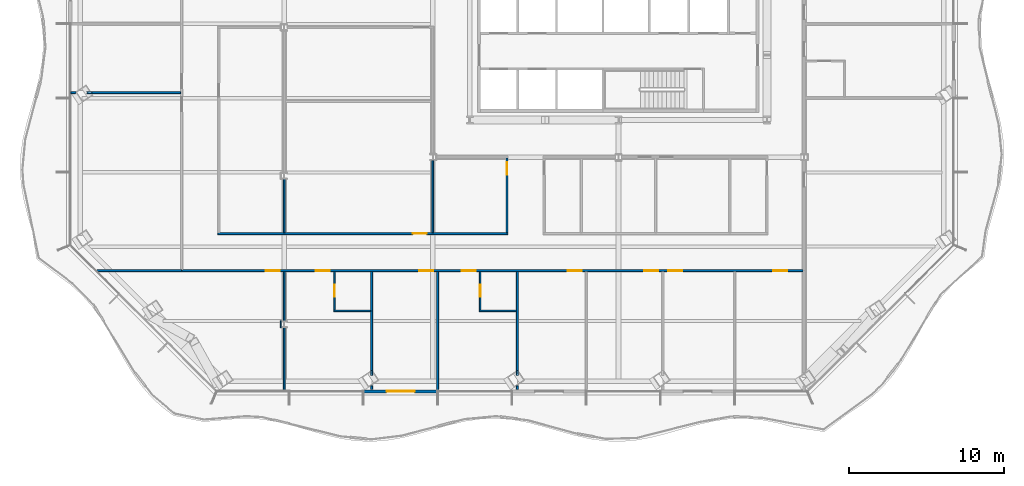
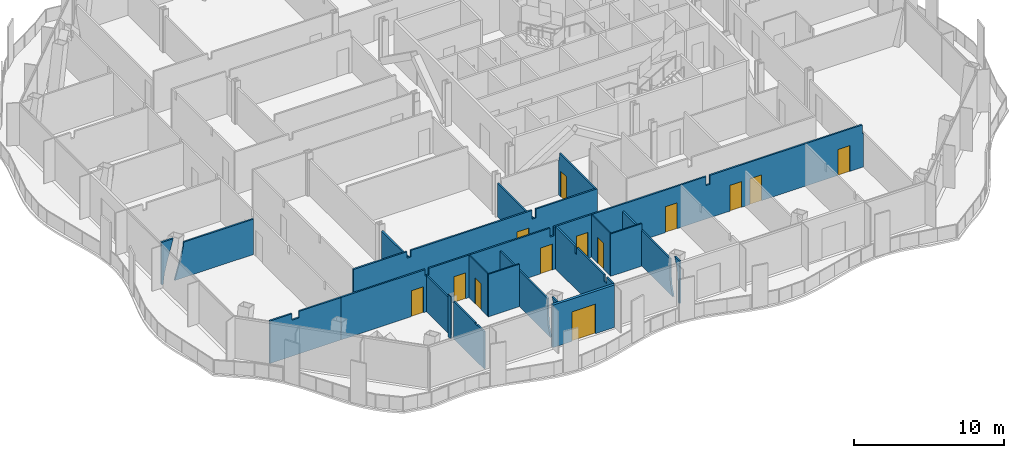
# One storey, part 6 of 19: 21 walls, 13 doors, 13 openings.
"""IFC4 building model written with IfcOpenShell, lengths in metres."""

from ifc_helpers import new_model, si_unit, direction, frame, frame_2d, origin, place, context, subcontext, project, spatial, polyline, rectangle, outline, extrude, material, layer, layer_set, type_object, element, fill, save


model = new_model("IFC4")

# Units and contexts
model_context = context("Model", 3, precision=1e-05, world=origin(), true_north=direction((0.0, 1.0)))
body_context = subcontext(model_context, "Body", "Model", "MODEL_VIEW")
ifc_project = project(units=[si_unit("LENGTHUNIT", "METRE"), si_unit("AREAUNIT", "SQUARE_METRE"), si_unit("VOLUMEUNIT", "CUBIC_METRE"), si_unit("PLANEANGLEUNIT", "RADIAN"), si_unit("MASSUNIT", "GRAM", prefix="KILO")], contexts=[model_context])

# Site, building, storey
site_placement = place(None, origin())
site = spatial("IfcSite", under=ifc_project, at=site_placement, CompositionType="ELEMENT")
building_placement = place(site_placement, origin())
building = spatial("IfcBuilding", under=site, at=building_placement, Name="Cairn Pilgrim Tower", CompositionType="ELEMENT")
storey_placement = place(building_placement, frame((0.0, 0.0, 90.60009765625)))
storey = spatial("IfcBuildingStorey", under=building, at=storey_placement, Name="L21", CompositionType="ELEMENT", Elevation=90.60009765625)

# Wall, opening, door
ifc_material_1 = material(Name="Bronze anodised aluminium insulated sandwich panel with mineral wool fill", Category="aluminium")
ifc_layer_1 = layer(ifc_material_1, 0.199951171875)
ifc_layer_set_1 = layer_set([ifc_layer_1], Name="BRONZE INFILL FRAME WALL 200")
wall_type_1 = type_object("IfcWallType", Name="BRONZE INFILL FRAME WALL 200", PredefinedType="NOTDEFINED", material=ifc_layer_set_1)
wall_1_placement = place(storey_placement, frame((-9.24951171875, -23.536376953125, 0.0), z_axis=(0.0, 0.0, 1.0), x_axis=(1.0, 0.0, 0.0)))
wall_1 = element("IfcWall", 1, at=wall_1_placement, inside=storey, type_object=wall_type_1, Name="Bronze infill frame wall IW-S3", PredefinedType="NOTDEFINED", context=body_context, shape_type="SweptSolid", body=[
    extrude(rectangle(XDim=4.739990234375, YDim=0.199951171875, at=frame_2d((2.3701171875, 0.0))), origin(), (0.0, 0.0, 1.0), 3.449951171875),
])
opening_1_placement = place(wall_1_placement, frame((1.469482421875, 0.0, 0.0)))
opening_1 = element("IfcOpeningElement", 2, at=opening_1_placement, cuts=wall_1, Name="Opening 2103B", PredefinedType="OPENING", context=body_context, shape_type="SweptSolid", body=[
    extrude(rectangle(XDim=1.800048828125, YDim=2.39990234375, at=frame_2d((0.89990234375, 1.199951171875))), frame((0.0, 0.10986328125, 0.0), z_axis=(0.0, -1.0, 0.0), x_axis=(1.0, 0.0, 0.0)), (0.0, 0.0, 1.0), 0.219970703125),
])
ifc_material_2 = material(Name="Bronze anodised aluminium frame with tinted low-E glass", Category="aluminium")
door_type_1 = type_object("IfcDoorType", Name="BALCONY SLIDING DOOR 1800x2400", OperationType="DOUBLE_DOOR_SLIDING", PredefinedType="DOOR", material=ifc_material_2)
door_1_placement = place(opening_1_placement, origin())
door_1 = element("IfcDoor", 3, at=door_1_placement, inside=storey, type_object=door_type_1, Name="Balcony sliding door 2103B", OperationType="SINGLE_SWING_LEFT", OverallHeight=2.39990234375, OverallWidth=1.800048828125, PredefinedType="DOOR", context=body_context, shape_type="SweptSolid", body=[
    extrude(rectangle(XDim=1.800048828125, YDim=2.39990234375, at=frame_2d((0.89990234375, 1.199951171875))), frame((0.0, 0.02490234375, 0.0), z_axis=(0.0, -1.0, 0.0), x_axis=(1.0, 0.0, 0.0)), (0.0, 0.0, 1.0), 0.050048828125),
])
fill(opening_1, door_1)

# Wall
ifc_material_3 = material(Name="Gypsum partition")
ifc_layer_2 = layer(ifc_material_3, 0.10009765625)
ifc_layer_set_2 = layer_set([ifc_layer_2], Name="PARTITION 100 DRYWALL")
wall_type_2 = type_object("IfcWallType", Name="PARTITION 100 DRYWALL", PredefinedType="PARTITIONING", material=ifc_layer_set_2)
wall_2_placement = place(storey_placement, frame((-11.198974609375, -18.3359375, 0.0), z_axis=(0.0, 0.0, 1.0), x_axis=(1.0, 0.0, 0.0)))
element("IfcWall", 4, at=wall_2_placement, inside=storey, type_object=wall_type_2, Name="PARTITION W014", PredefinedType="PARTITIONING", context=body_context, shape_type="SweptSolid", body=[
    extrude(rectangle(XDim=2.387451171875, YDim=0.10009765625, at=frame_2d((1.19384765625, 0.0))), origin(), (0.0, 0.0, 1.0), 3.449951171875),
])

# Wall, opening, door
wall_3_placement = place(storey_placement, frame((-11.14892578125, -18.285888671875, 0.0), z_axis=(0.0, 0.0, 1.0), x_axis=(0.0, 1.0, 0.0)))
wall_3 = element("IfcWall", 5, at=wall_3_placement, inside=storey, type_object=wall_type_2, Name="PARTITION W015", PredefinedType="PARTITIONING", context=body_context, shape_type="SweptSolid", body=[
    extrude(rectangle(XDim=2.4873046875, YDim=0.10009765625, at=frame_2d((1.24365234375, 0.0))), origin(), (0.0, 0.0, 1.0), 3.449951171875),
])
opening_2_placement = place(wall_3_placement, frame((0.85009765625, 0.0, 0.0)))
opening_2 = element("IfcOpeningElement", 6, at=opening_2_placement, cuts=wall_3, Name="Opening 2102E", PredefinedType="OPENING", context=body_context, shape_type="SweptSolid", body=[
    extrude(rectangle(XDim=0.800048828125, YDim=2.10009765625, at=frame_2d((0.39990234375, 1.050048828125))), frame((0.0, 0.06005859375, 0.0), z_axis=(0.0, -1.0, 0.0), x_axis=(1.0, 0.0, 0.0)), (0.0, 0.0, 1.0), 0.1201171875),
])
ifc_material_4 = material(Name="Timber door leaf", Category="wood")
door_type_2 = type_object("IfcDoorType", Name="DOOR 800x2100", OperationType="NOTDEFINED", PredefinedType="DOOR", material=ifc_material_4)
door_2_placement = place(opening_2_placement, frame((0.800048828125, 0.0, 0.0), z_axis=(0.0, 0.0, 1.0), x_axis=(-1.0, 0.0, 0.0)))
door_2 = element("IfcDoor", 7, at=door_2_placement, inside=storey, type_object=door_type_2, Name="DOOR 2102E", OperationType="SINGLE_SWING_RIGHT", OverallHeight=2.10009765625, OverallWidth=0.800048828125, PredefinedType="DOOR", context=body_context, shape_type="SweptSolid", body=[
    extrude(rectangle(XDim=0.800048828125, YDim=2.10009765625, at=frame_2d((0.39990234375, 1.050048828125))), frame((0.0, 0.02490234375, 0.0), z_axis=(0.0, -1.0, 0.0), x_axis=(1.0, 0.0, 0.0)), (0.0, 0.0, 1.0), 0.050048828125),
])
fill(opening_2, door_2)

# Wall
wall_4_placement = place(storey_placement, frame((-1.785888671875, -18.3359375, 0.0), z_axis=(0.0, 0.0, 1.0), x_axis=(1.0, 0.0, 0.0)))
element("IfcWall", 8, at=wall_4_placement, inside=storey, type_object=wall_type_2, Name="PARTITION W016", PredefinedType="PARTITIONING", context=body_context, shape_type="SweptSolid", body=[
    extrude(rectangle(XDim=2.387451171875, YDim=0.10009765625, at=frame_2d((1.19384765625, 0.0))), origin(), (0.0, 0.0, 1.0), 3.449951171875),
])

# Wall, opening, door
wall_5_placement = place(storey_placement, frame((-1.736083984375, -18.285888671875, 0.0), z_axis=(0.0, 0.0, 1.0), x_axis=(0.0, 1.0, 0.0)))
wall_5 = element("IfcWall", 9, at=wall_5_placement, inside=storey, type_object=wall_type_2, Name="PARTITION W017", PredefinedType="PARTITIONING", context=body_context, shape_type="SweptSolid", body=[
    extrude(rectangle(XDim=2.4873046875, YDim=0.10009765625, at=frame_2d((1.24365234375, 0.0))), origin(), (0.0, 0.0, 1.0), 3.449951171875),
])
opening_3_placement = place(wall_5_placement, frame((0.85009765625, 0.0, 0.0)))
opening_3 = element("IfcOpeningElement", 10, at=opening_3_placement, cuts=wall_5, Name="Opening 2104E", PredefinedType="OPENING", context=body_context, shape_type="SweptSolid", body=[
    extrude(rectangle(XDim=0.800048828125, YDim=2.10009765625, at=frame_2d((0.39990234375, 1.050048828125))), frame((0.0, 0.06005859375, 0.0), z_axis=(0.0, -1.0, 0.0), x_axis=(1.0, 0.0, 0.0)), (0.0, 0.0, 1.0), 0.1201171875),
])
door_3_placement = place(opening_3_placement, frame((0.800048828125, 0.0, 0.0), z_axis=(0.0, 0.0, 1.0), x_axis=(-1.0, 0.0, 0.0)))
door_3 = element("IfcDoor", 11, at=door_3_placement, inside=storey, type_object=door_type_2, Name="DOOR 2104E", OperationType="SINGLE_SWING_LEFT", OverallHeight=2.10009765625, OverallWidth=0.800048828125, PredefinedType="DOOR", context=body_context, shape_type="SweptSolid", body=[
    extrude(rectangle(XDim=0.800048828125, YDim=2.10009765625, at=frame_2d((0.39990234375, 1.050048828125))), frame((0.0, 0.02490234375, 0.0), z_axis=(0.0, -1.0, 0.0), x_axis=(1.0, 0.0, 0.0)), (0.0, 0.0, 1.0), 0.050048828125),
])
fill(opening_3, door_3)

# Walls
ifc_layer_3 = layer(ifc_material_3, 0.125)
ifc_layer_set_3 = layer_set([ifc_layer_3], Name="PARTITION 125 DRYWALL EI 60")
wall_type_3 = type_object("IfcWallType", Name="PARTITION 125 DRYWALL EI 60", PredefinedType="PARTITIONING", material=ifc_layer_set_3)
wall_6_placement = place(storey_placement, frame((-14.39990234375, -23.476318359375, 0.0), z_axis=(0.0, 0.0, 1.0), x_axis=(0.0, 1.0, 0.0)))
element("IfcWall", 12, at=wall_6_placement, inside=storey, type_object=wall_type_3, Name="PARTITION W001", PredefinedType="PARTITIONING", context=body_context, shape_type="SweptSolid", body=[
    extrude(outline(polyline([(0.0, 0.0), (4.063720703125, 0.0), (4.063720703125, 3.02978515625), (1.198486328125, 3.02978515625), (1.196533203125, 2.929931640625), (0.898681640625, 2.929931640625), (0.896484375, 3.02978515625), (0.0, 3.02978515625), (0.0, 0.0)])), frame((0.0, 0.0625, 0.0), z_axis=(0.0, -1.0, 0.0), x_axis=(1.0, 0.0, 0.0)), (0.0, 0.0, 1.0), 0.125),
])
wall_7_placement = place(storey_placement, frame((-8.7490234375, -23.40625, 0.0), z_axis=(0.0, 0.0, 1.0), x_axis=(0.0, 1.0, 0.0)))
element("IfcWall", 13, at=wall_7_placement, inside=storey, type_object=wall_type_3, Name="PARTITION W003", PredefinedType="PARTITIONING", context=body_context, shape_type="SweptSolid", body=[
    extrude(outline(polyline([(0.0, 0.0), (0.22705078125, 0.0), (0.22705078125, 0.8623046875), (0.22705078125, 1.724853515625), (0.308349609375, 2.58740234375), (0.66064453125, 3.449951171875), (0.0, 3.449951171875), (0.0, 2.58740234375), (0.0, 1.724853515625), (0.0, 0.8623046875), (0.0, 0.0)])), frame((0.0, 0.0625, 0.0), z_axis=(0.0, -1.0, 0.0), x_axis=(1.0, 0.0, 0.0)), (0.0, 0.0, 1.0), 0.125),
])
wall_8_placement = place(storey_placement, frame((-4.47998046875, -23.436279296875, 0.0), z_axis=(0.0, 0.0, 1.0), x_axis=(0.0, 1.0, 0.0)))
element("IfcWall", 14, at=wall_8_placement, inside=storey, type_object=wall_type_3, Name="PARTITION W004", PredefinedType="PARTITIONING", context=body_context, shape_type="SweptSolid", body=[
    extrude(outline(polyline([(0.0, 0.0), (7.6376953125, 0.0), (7.6376953125, 3.449951171875), (5.013671875, 3.449951171875), (5.01171875, 2.8798828125), (4.8037109375, 2.8798828125), (4.801513671875, 3.449951171875), (1.15869140625, 3.449951171875), (1.156494140625, 2.929931640625), (0.858642578125, 2.929931640625), (0.856689453125, 3.449951171875), (0.0, 3.449951171875), (0.0, 0.0)])), frame((0.0, 0.0625, 0.0), z_axis=(0.0, -1.0, 0.0), x_axis=(1.0, 0.0, 0.0)), (0.0, 0.0, 1.0), 0.125),
])
wall_9_placement = place(storey_placement, frame((0.6640625, -23.40625, 0.0), z_axis=(0.0, 0.0, 1.0), x_axis=(0.0, 1.0, 0.0)))
element("IfcWall", 15, at=wall_9_placement, inside=storey, type_object=wall_type_3, Name="PARTITION W005", PredefinedType="PARTITIONING", context=body_context, shape_type="SweptSolid", body=[
    extrude(outline(polyline([(0.0, 0.0), (0.2265625, 0.0), (0.2265625, 0.8623046875), (0.2265625, 1.724853515625), (0.308349609375, 2.58740234375), (0.66162109375, 3.449951171875), (0.0, 3.449951171875), (0.0, 2.58740234375), (0.0, 1.724853515625), (0.0, 0.8623046875), (0.0, 0.0)])), frame((0.0, 0.0625, 0.0), z_axis=(0.0, -1.0, 0.0), x_axis=(1.0, 0.0, 0.0)), (0.0, 0.0, 1.0), 0.125),
])
wall_10_placement = place(storey_placement, frame((-8.7490234375, -22.506591796875, 0.0), z_axis=(0.0, 0.0, 1.0), x_axis=(0.0, 1.0, 0.0)))
element("IfcWall", 16, at=wall_10_placement, inside=storey, type_object=wall_type_3, Name="PARTITION W009", PredefinedType="PARTITIONING", context=body_context, shape_type="SweptSolid", body=[
    extrude(outline(polyline([(0.0, 0.0), (6.708251953125, 0.0), (6.708251953125, 0.8623046875), (6.708251953125, 1.724853515625), (6.708251953125, 2.58740234375), (6.708251953125, 2.929931640625), (0.372314453125, 2.929931640625), (0.372314453125, 2.58740234375), (0.372314453125, 1.724853515625), (0.309814453125, 0.8623046875), (0.0, 0.0)])), frame((0.0, 0.0625, 0.0), z_axis=(0.0, -1.0, 0.0), x_axis=(1.0, 0.0, 0.0)), (0.0, 0.0, 1.0), 0.125),
])
wall_11_placement = place(storey_placement, frame((0.6640625, -22.505859375, 0.0), z_axis=(0.0, 0.0, 1.0), x_axis=(0.0, 1.0, 0.0)))
element("IfcWall", 17, at=wall_11_placement, inside=storey, type_object=wall_type_3, Name="PARTITION W010", PredefinedType="PARTITIONING", context=body_context, shape_type="SweptSolid", body=[
    extrude(outline(polyline([(0.0, 0.0), (6.707275390625, 0.0), (6.707275390625, 0.8623046875), (6.707275390625, 1.724853515625), (6.707275390625, 2.58740234375), (6.707275390625, 2.8798828125), (0.370849609375, 2.8798828125), (0.370849609375, 2.58740234375), (0.370849609375, 1.724853515625), (0.30908203125, 0.8623046875), (0.0, 0.0)])), frame((0.0, 0.0625, 0.0), z_axis=(0.0, -1.0, 0.0), x_axis=(1.0, 0.0, 0.0)), (0.0, 0.0, 1.0), 0.125),
])
wall_12_placement = place(storey_placement, frame((-14.39990234375, -18.987548828125, 0.0), z_axis=(0.0, 0.0, 1.0), x_axis=(0.0, 1.0, 0.0)))
element("IfcWall", 18, at=wall_12_placement, inside=storey, type_object=wall_type_3, Name="PARTITION W013", PredefinedType="PARTITIONING", context=body_context, shape_type="SweptSolid", body=[
    extrude(rectangle(XDim=3.18896484375, YDim=0.125, at=frame_2d((1.594482421875, 0.0))), origin(), (0.0, 0.0, 1.0), 2.929931640625),
])
wall_13_placement = place(storey_placement, frame((-26.48681640625, -15.736083984375, 0.0), z_axis=(0.0, 0.0, 1.0), x_axis=(1.0, 0.0, 0.0)))
element("IfcWall", 19, at=wall_13_placement, inside=storey, type_object=wall_type_3, Name="PARTITION W018", PredefinedType="PARTITIONING", context=body_context, shape_type="SweptSolid", body=[
    extrude(outline(polyline([(0.0, 0.0), (5.456787109375, 0.0), (5.456787109375, 3.449951171875), (2.2509765625, 3.449951171875), (2.248779296875, 2.929931640625), (1.70166015625, 2.929931640625), (1.69970703125, 3.449951171875), (0.0, 3.449951171875), (0.0, 0.0)])), frame((0.0, 0.0625, 0.0), z_axis=(0.0, -1.0, 0.0), x_axis=(1.0, 0.0, 0.0)), (0.0, 0.0, 1.0), 0.125),
])

# Wall, openings, doors
wall_14_placement = place(storey_placement, frame((-21.030029296875, -15.736083984375, 0.0), z_axis=(0.0, 0.0, 1.0), x_axis=(1.0, 0.0, 0.0)))
wall_14 = element("IfcWall", 20, at=wall_14_placement, inside=storey, type_object=wall_type_3, Name="PARTITION W019", PredefinedType="PARTITIONING", context=body_context, shape_type="SweptSolid", body=[
    extrude(outline(polyline([(0.0, 0.0), (40.16748046875, 0.0), (40.16748046875, 2.72998046875), (40.080078125, 2.72998046875), (40.077880859375, 3.449951171875), (28.3798828125, 3.449951171875), (28.3779296875, 2.72998046875), (28.080078125, 2.72998046875), (28.077880859375, 3.449951171875), (16.3798828125, 3.449951171875), (16.3779296875, 2.72998046875), (16.080078125, 2.72998046875), (16.077880859375, 3.449951171875), (6.780029296875, 3.449951171875), (6.778076171875, 2.929931640625), (6.47998046875, 2.929931640625), (6.47802734375, 3.449951171875), (0.0, 3.449951171875), (0.0, 0.0)])), frame((0.0, 0.0625, 0.0), z_axis=(0.0, -1.0, 0.0), x_axis=(1.0, 0.0, 0.0)), (0.0, 0.0, 1.0), 0.125),
])
opening_4_placement = place(wall_14_placement, frame((5.429931640625, 0.0, 0.0)))
opening_4 = element("IfcOpeningElement", 21, at=opening_4_placement, cuts=wall_14, Name="Opening 2101", PredefinedType="OPENING", context=body_context, shape_type="SweptSolid", body=[
    extrude(rectangle(XDim=0.89990234375, YDim=2.10009765625, at=frame_2d((0.449951171875, 1.050048828125))), frame((0.0, 0.072509765625, 0.0), z_axis=(0.0, -1.0, 0.0), x_axis=(1.0, 0.0, 0.0)), (0.0, 0.0, 1.0), 0.14501953125),
])
opening_5_placement = place(wall_14_placement, frame((8.680908203125, 0.0, 0.0)))
opening_5 = element("IfcOpeningElement", 22, at=opening_5_placement, cuts=wall_14, Name="Opening 2102", PredefinedType="OPENING", context=body_context, shape_type="SweptSolid", body=[
    extrude(rectangle(XDim=0.89990234375, YDim=2.10009765625, at=frame_2d((0.449951171875, 1.050048828125))), frame((0.0, 0.072509765625, 0.0), z_axis=(0.0, -1.0, 0.0), x_axis=(1.0, 0.0, 0.0)), (0.0, 0.0, 1.0), 0.14501953125),
])
opening_6_placement = place(wall_14_placement, frame((15.35009765625, 0.0, 0.0)))
opening_6 = element("IfcOpeningElement", 23, at=opening_6_placement, cuts=wall_14, Name="Opening 2103", PredefinedType="OPENING", context=body_context, shape_type="SweptSolid", body=[
    extrude(rectangle(XDim=0.89990234375, YDim=2.10009765625, at=frame_2d((0.449951171875, 1.050048828125))), frame((0.0, 0.072509765625, 0.0), z_axis=(0.0, -1.0, 0.0), x_axis=(1.0, 0.0, 0.0)), (0.0, 0.0, 1.0), 0.14501953125),
])
opening_7_placement = place(wall_14_placement, frame((18.093994140625, 0.0, 0.0)))
opening_7 = element("IfcOpeningElement", 24, at=opening_7_placement, cuts=wall_14, Name="Opening 2104", PredefinedType="OPENING", context=body_context, shape_type="SweptSolid", body=[
    extrude(rectangle(XDim=0.89990234375, YDim=2.10009765625, at=frame_2d((0.449951171875, 1.050048828125))), frame((0.0, 0.072509765625, 0.0), z_axis=(0.0, -1.0, 0.0), x_axis=(1.0, 0.0, 0.0)), (0.0, 0.0, 1.0), 0.14501953125),
])
opening_8_placement = place(wall_14_placement, frame((24.949951171875, 0.0, 0.0)))
opening_8 = element("IfcOpeningElement", 25, at=opening_8_placement, cuts=wall_14, Name="Opening 2105", PredefinedType="OPENING", context=body_context, shape_type="SweptSolid", body=[
    extrude(rectangle(XDim=0.89990234375, YDim=2.10009765625, at=frame_2d((0.449951171875, 1.050048828125))), frame((0.0, 0.072509765625, 0.0), z_axis=(0.0, -1.0, 0.0), x_axis=(1.0, 0.0, 0.0)), (0.0, 0.0, 1.0), 0.14501953125),
])
opening_9_placement = place(wall_14_placement, frame((29.907958984375, 0.0, 0.0)))
opening_9 = element("IfcOpeningElement", 26, at=opening_9_placement, cuts=wall_14, Name="Opening 2106", PredefinedType="OPENING", context=body_context, shape_type="SweptSolid", body=[
    extrude(rectangle(XDim=0.89990234375, YDim=2.10009765625, at=frame_2d((0.449951171875, 1.050048828125))), frame((0.0, 0.072509765625, 0.0), z_axis=(0.0, -1.0, 0.0), x_axis=(1.0, 0.0, 0.0)), (0.0, 0.0, 1.0), 0.14501953125),
])
opening_10_placement = place(wall_14_placement, frame((31.449951171875, 0.0, 0.0)))
opening_10 = element("IfcOpeningElement", 27, at=opening_10_placement, cuts=wall_14, Name="Opening 2107", PredefinedType="OPENING", context=body_context, shape_type="SweptSolid", body=[
    extrude(rectangle(XDim=0.89990234375, YDim=2.10009765625, at=frame_2d((0.449951171875, 1.050048828125))), frame((0.0, 0.072509765625, 0.0), z_axis=(0.0, -1.0, 0.0), x_axis=(1.0, 0.0, 0.0)), (0.0, 0.0, 1.0), 0.14501953125),
])
opening_11_placement = place(wall_14_placement, frame((38.22998046875, 0.0, 0.0)))
opening_11 = element("IfcOpeningElement", 28, at=opening_11_placement, cuts=wall_14, Name="Opening 2108", PredefinedType="OPENING", context=body_context, shape_type="SweptSolid", body=[
    extrude(rectangle(XDim=0.89990234375, YDim=2.10009765625, at=frame_2d((0.449951171875, 1.050048828125))), frame((0.0, 0.072509765625, 0.0), z_axis=(0.0, -1.0, 0.0), x_axis=(1.0, 0.0, 0.0)), (0.0, 0.0, 1.0), 0.14501953125),
])
ifc_material_5 = material(Name="Steel-faced fire door leaf", Category="steel")
door_type_3 = type_object("IfcDoorType", Name="FIRE DOOR 900x2100 FD30S", OperationType="NOTDEFINED", PredefinedType="DOOR", material=ifc_material_5)
door_4_placement = place(opening_4_placement, frame((0.89990234375, 0.0, 0.0), z_axis=(0.0, 0.0, 1.0), x_axis=(-1.0, 0.0, 0.0)))
door_4 = element("IfcDoor", 29, at=door_4_placement, inside=storey, type_object=door_type_3, Name="DOOR 2101", OperationType="SINGLE_SWING_RIGHT", OverallHeight=2.10009765625, OverallWidth=0.89990234375, PredefinedType="DOOR", context=body_context, shape_type="SweptSolid", body=[
    extrude(rectangle(XDim=0.89990234375, YDim=2.10009765625, at=frame_2d((0.449951171875, 1.050048828125))), frame((0.0, 0.02490234375, 0.0), z_axis=(0.0, -1.0, 0.0), x_axis=(1.0, 0.0, 0.0)), (0.0, 0.0, 1.0), 0.050048828125),
])
fill(opening_4, door_4)
door_5_placement = place(opening_5_placement, frame((0.89990234375, 0.0, 0.0), z_axis=(0.0, 0.0, 1.0), x_axis=(-1.0, 0.0, 0.0)))
door_5 = element("IfcDoor", 30, at=door_5_placement, inside=storey, type_object=door_type_3, Name="DOOR 2102", OperationType="SINGLE_SWING_LEFT", OverallHeight=2.10009765625, OverallWidth=0.89990234375, PredefinedType="DOOR", context=body_context, shape_type="SweptSolid", body=[
    extrude(rectangle(XDim=0.89990234375, YDim=2.10009765625, at=frame_2d((0.449951171875, 1.050048828125))), frame((0.0, 0.02490234375, 0.0), z_axis=(0.0, -1.0, 0.0), x_axis=(1.0, 0.0, 0.0)), (0.0, 0.0, 1.0), 0.050048828125),
])
fill(opening_5, door_5)
door_6_placement = place(opening_6_placement, frame((0.89990234375, 0.0, 0.0), z_axis=(0.0, 0.0, 1.0), x_axis=(-1.0, 0.0, 0.0)))
door_6 = element("IfcDoor", 31, at=door_6_placement, inside=storey, type_object=door_type_3, Name="DOOR 2103", OperationType="SINGLE_SWING_LEFT", OverallHeight=2.10009765625, OverallWidth=0.89990234375, PredefinedType="DOOR", context=body_context, shape_type="SweptSolid", body=[
    extrude(rectangle(XDim=0.89990234375, YDim=2.10009765625, at=frame_2d((0.449951171875, 1.050048828125))), frame((0.0, 0.02490234375, 0.0), z_axis=(0.0, -1.0, 0.0), x_axis=(1.0, 0.0, 0.0)), (0.0, 0.0, 1.0), 0.050048828125),
])
fill(opening_6, door_6)
door_7_placement = place(opening_7_placement, frame((0.89990234375, 0.0, 0.0), z_axis=(0.0, 0.0, 1.0), x_axis=(-1.0, 0.0, 0.0)))
door_7 = element("IfcDoor", 32, at=door_7_placement, inside=storey, type_object=door_type_3, Name="DOOR 2104", OperationType="SINGLE_SWING_RIGHT", OverallHeight=2.10009765625, OverallWidth=0.89990234375, PredefinedType="DOOR", context=body_context, shape_type="SweptSolid", body=[
    extrude(rectangle(XDim=0.89990234375, YDim=2.10009765625, at=frame_2d((0.449951171875, 1.050048828125))), frame((0.0, 0.02490234375, 0.0), z_axis=(0.0, -1.0, 0.0), x_axis=(1.0, 0.0, 0.0)), (0.0, 0.0, 1.0), 0.050048828125),
])
fill(opening_7, door_7)
door_8_placement = place(opening_8_placement, frame((0.89990234375, 0.0, 0.0), z_axis=(0.0, 0.0, 1.0), x_axis=(-1.0, 0.0, 0.0)))
door_8 = element("IfcDoor", 33, at=door_8_placement, inside=storey, type_object=door_type_3, Name="DOOR 2105", OperationType="SINGLE_SWING_RIGHT", OverallHeight=2.10009765625, OverallWidth=0.89990234375, PredefinedType="DOOR", context=body_context, shape_type="SweptSolid", body=[
    extrude(rectangle(XDim=0.89990234375, YDim=2.10009765625, at=frame_2d((0.449951171875, 1.050048828125))), frame((0.0, 0.02490234375, 0.0), z_axis=(0.0, -1.0, 0.0), x_axis=(1.0, 0.0, 0.0)), (0.0, 0.0, 1.0), 0.050048828125),
])
fill(opening_8, door_8)
door_9_placement = place(opening_9_placement, frame((0.89990234375, 0.0, 0.0), z_axis=(0.0, 0.0, 1.0), x_axis=(-1.0, 0.0, 0.0)))
door_9 = element("IfcDoor", 34, at=door_9_placement, inside=storey, type_object=door_type_3, Name="DOOR 2106", OperationType="SINGLE_SWING_LEFT", OverallHeight=2.10009765625, OverallWidth=0.89990234375, PredefinedType="DOOR", context=body_context, shape_type="SweptSolid", body=[
    extrude(rectangle(XDim=0.89990234375, YDim=2.10009765625, at=frame_2d((0.449951171875, 1.050048828125))), frame((0.0, 0.02490234375, 0.0), z_axis=(0.0, -1.0, 0.0), x_axis=(1.0, 0.0, 0.0)), (0.0, 0.0, 1.0), 0.050048828125),
])
fill(opening_9, door_9)
door_10_placement = place(opening_10_placement, frame((0.89990234375, 0.0, 0.0), z_axis=(0.0, 0.0, 1.0), x_axis=(-1.0, 0.0, 0.0)))
door_10 = element("IfcDoor", 35, at=door_10_placement, inside=storey, type_object=door_type_3, Name="DOOR 2107", OperationType="SINGLE_SWING_RIGHT", OverallHeight=2.10009765625, OverallWidth=0.89990234375, PredefinedType="DOOR", context=body_context, shape_type="SweptSolid", body=[
    extrude(rectangle(XDim=0.89990234375, YDim=2.10009765625, at=frame_2d((0.449951171875, 1.050048828125))), frame((0.0, 0.02490234375, 0.0), z_axis=(0.0, -1.0, 0.0), x_axis=(1.0, 0.0, 0.0)), (0.0, 0.0, 1.0), 0.050048828125),
])
fill(opening_10, door_10)
door_11_placement = place(opening_11_placement, frame((0.89990234375, 0.0, 0.0), z_axis=(0.0, 0.0, 1.0), x_axis=(-1.0, 0.0, 0.0)))
door_11 = element("IfcDoor", 36, at=door_11_placement, inside=storey, type_object=door_type_3, Name="DOOR 2108", OperationType="SINGLE_SWING_LEFT", OverallHeight=2.10009765625, OverallWidth=0.89990234375, PredefinedType="DOOR", context=body_context, shape_type="SweptSolid", body=[
    extrude(rectangle(XDim=0.89990234375, YDim=2.10009765625, at=frame_2d((0.449951171875, 1.050048828125))), frame((0.0, 0.02490234375, 0.0), z_axis=(0.0, -1.0, 0.0), x_axis=(1.0, 0.0, 0.0)), (0.0, 0.0, 1.0), 0.050048828125),
])
fill(opening_11, door_11)

# Wall, opening, door
wall_15_placement = place(storey_placement, frame((-18.6923828125, -13.3359375, 0.0), z_axis=(0.0, 0.0, 1.0), x_axis=(1.0, 0.0, 0.0)))
wall_15 = element("IfcWall", 37, at=wall_15_placement, inside=storey, type_object=wall_type_3, Name="PARTITION W022", PredefinedType="PARTITIONING", context=body_context, shape_type="SweptSolid", body=[
    extrude(outline(polyline([(0.0, 0.0), (18.7548828125, 0.0), (18.7548828125, 3.449951171875), (14.04248046875, 3.449951171875), (14.04052734375, 2.72998046875), (13.742431640625, 2.72998046875), (13.740478515625, 3.449951171875), (4.4423828125, 3.449951171875), (4.4404296875, 2.929931640625), (4.142578125, 2.929931640625), (4.140380859375, 3.449951171875), (0.0, 3.449951171875), (0.0, 0.0)])), frame((0.0, 0.0625, 0.0), z_axis=(0.0, -1.0, 0.0), x_axis=(1.0, 0.0, 0.0)), (0.0, 0.0, 1.0), 0.125),
])
opening_12_placement = place(wall_15_placement, frame((12.592529296875, 0.0, 0.0)))
opening_12 = element("IfcOpeningElement", 38, at=opening_12_placement, cuts=wall_15, Name="Opening 2125", PredefinedType="OPENING", context=body_context, shape_type="SweptSolid", body=[
    extrude(rectangle(XDim=0.89990234375, YDim=2.10009765625, at=frame_2d((0.449951171875, 1.050048828125))), frame((0.0, 0.072509765625, 0.0), z_axis=(0.0, -1.0, 0.0), x_axis=(1.0, 0.0, 0.0)), (0.0, 0.0, 1.0), 0.14501953125),
])
door_12_placement = place(opening_12_placement, origin())
door_12 = element("IfcDoor", 39, at=door_12_placement, inside=storey, type_object=door_type_3, Name="DOOR 2125", OperationType="SINGLE_SWING_RIGHT", OverallHeight=2.10009765625, OverallWidth=0.89990234375, PredefinedType="DOOR", context=body_context, shape_type="SweptSolid", body=[
    extrude(rectangle(XDim=0.89990234375, YDim=2.10009765625, at=frame_2d((0.449951171875, 1.050048828125))), frame((0.0, 0.02490234375, 0.0), z_axis=(0.0, -1.0, 0.0), x_axis=(1.0, 0.0, 0.0)), (0.0, 0.0, 1.0), 0.050048828125),
])
fill(opening_12, door_12)

# Walls
wall_16_placement = place(storey_placement, frame((-14.39990234375, -13.2734375, 0.0), z_axis=(0.0, 0.0, 1.0), x_axis=(0.0, 1.0, 0.0)))
element("IfcWall", 40, at=wall_16_placement, inside=storey, type_object=wall_type_3, Name="PARTITION W024", PredefinedType="PARTITIONING", context=body_context, shape_type="SweptSolid", body=[
    extrude(rectangle(XDim=3.4609375, YDim=0.125, at=frame_2d((1.73046875, 0.0))), origin(), (0.0, 0.0, 1.0), 2.929931640625),
])
wall_17_placement = place(storey_placement, frame((-4.800048828125, -13.2734375, 0.0), z_axis=(0.0, 0.0, 1.0), x_axis=(0.0, 1.0, 0.0)))
element("IfcWall", 41, at=wall_17_placement, inside=storey, type_object=wall_type_3, Name="PARTITION W025", PredefinedType="PARTITIONING", context=body_context, shape_type="SweptSolid", body=[
    extrude(rectangle(XDim=4.660888671875, YDim=0.125, at=frame_2d((2.33056640625, 0.0))), origin(), (0.0, 0.0, 1.0), 2.72998046875),
])

# Wall, opening, door
wall_18_placement = place(storey_placement, frame((0.0, -13.2734375, 0.0), z_axis=(0.0, 0.0, 1.0), x_axis=(0.0, 1.0, 0.0)))
wall_18 = element("IfcWall", 42, at=wall_18_placement, inside=storey, type_object=wall_type_3, Name="PARTITION W026", PredefinedType="PARTITIONING", context=body_context, shape_type="SweptSolid", body=[
    extrude(outline(polyline([(0.0, 0.0), (4.81103515625, 0.0), (4.81103515625, 2.829833984375), (4.723388671875, 2.829833984375), (4.721435546875, 3.449951171875), (0.0, 3.449951171875), (0.0, 0.0)])), frame((0.0, 0.0625, 0.0), z_axis=(0.0, -1.0, 0.0), x_axis=(1.0, 0.0, 0.0)), (0.0, 0.0, 1.0), 0.125),
])
opening_13_placement = place(wall_18_placement, frame((3.737548828125, 0.0, 0.0)))
opening_13 = element("IfcOpeningElement", 43, at=opening_13_placement, cuts=wall_18, Name="Opening 2131", PredefinedType="OPENING", context=body_context, shape_type="SweptSolid", body=[
    extrude(rectangle(XDim=0.800048828125, YDim=2.10009765625, at=frame_2d((0.39990234375, 1.050048828125))), frame((0.0, 0.072509765625, 0.0), z_axis=(0.0, -1.0, 0.0), x_axis=(1.0, 0.0, 0.0)), (0.0, 0.0, 1.0), 0.14501953125),
])
door_type_4 = type_object("IfcDoorType", Name="FIRE DOOR 800x2100 FD30S", OperationType="NOTDEFINED", PredefinedType="DOOR", material=ifc_material_5)
door_13_placement = place(opening_13_placement, origin())
door_13 = element("IfcDoor", 44, at=door_13_placement, inside=storey, type_object=door_type_4, Name="DOOR 2131", OperationType="SINGLE_SWING_RIGHT", OverallHeight=2.10009765625, OverallWidth=0.800048828125, PredefinedType="DOOR", context=body_context, shape_type="SweptSolid", body=[
    extrude(rectangle(XDim=0.800048828125, YDim=2.10009765625, at=frame_2d((0.39990234375, 1.050048828125))), frame((0.0, 0.02490234375, 0.0), z_axis=(0.0, -1.0, 0.0), x_axis=(1.0, 0.0, 0.0)), (0.0, 0.0, 1.0), 0.050048828125),
])
fill(opening_13, door_13)

# Walls
wall_19_placement = place(storey_placement, frame((-28.1826171875, -4.23291015625, 0.0), z_axis=(0.0, 0.0, 1.0), x_axis=(1.0, 0.0, 0.0)))
element("IfcWall", 45, at=wall_19_placement, inside=storey, type_object=wall_type_3, Name="PARTITION W042", PredefinedType="PARTITIONING", context=body_context, shape_type="SweptSolid", body=[
    extrude(outline(polyline([(0.0, 0.0), (0.1318359375, 0.0), (0.233154296875, 0.8623046875), (0.432861328125, 1.724853515625), (0.6708984375, 2.58740234375), (0.908935546875, 3.449951171875), (0.0, 3.449951171875), (0.0, 2.58740234375), (0.0, 1.724853515625), (0.0, 0.8623046875), (0.0, 0.0)])), frame((0.0, 0.0625, 0.0), z_axis=(0.0, -1.0, 0.0), x_axis=(1.0, 0.0, 0.0)), (0.0, 0.0, 1.0), 0.125),
])
wall_20_placement = place(storey_placement, frame((-27.156005859375, -4.23291015625, 0.0), z_axis=(0.0, 0.0, 1.0), x_axis=(1.0, 0.0, 0.0)))
element("IfcWall", 46, at=wall_20_placement, inside=storey, type_object=wall_type_3, Name="PARTITION W043", PredefinedType="PARTITIONING", context=body_context, shape_type="SweptSolid", body=[
    extrude(outline(polyline([(0.0, 0.0), (6.0634765625, 0.0), (6.0634765625, 0.8623046875), (6.0634765625, 1.724853515625), (6.0634765625, 2.58740234375), (6.0634765625, 2.8798828125), (0.687255859375, 2.8798828125), (0.662841796875, 2.58740234375), (0.47607421875, 1.724853515625), (0.238037109375, 0.8623046875), (0.0, 0.0)])), frame((0.0, 0.0625, 0.0), z_axis=(0.0, -1.0, 0.0), x_axis=(1.0, 0.0, 0.0)), (0.0, 0.0, 1.0), 0.125),
])
ifc_layer_4 = layer(ifc_material_3, 0.050048828125)
ifc_layer_set_4 = layer_set([ifc_layer_4], Name="PARTITION 50 DRYWALL EI 60")
wall_type_4 = type_object("IfcWallType", Name="PARTITION 50 DRYWALL EI 60", PredefinedType="PARTITIONING", material=ifc_layer_set_4)
wall_21_placement = place(storey_placement, frame((-14.62939453125, -19.41259765625, 0.0), z_axis=(0.0, 0.0, 1.0), x_axis=(0.0, 1.0, 0.0)))
element("IfcWall", 47, at=wall_21_placement, inside=storey, type_object=wall_type_4, Name="COLUMN CASING WC01", PredefinedType="PARTITIONING", context=body_context, shape_type="SweptSolid", body=[
    extrude(rectangle(XDim=0.425048828125, YDim=0.050048828125, at=frame_2d((0.21240234375, 0.0))), origin(), (0.0, 0.0, 1.0), 3.449951171875),
])

save(model, "model.ifc")
